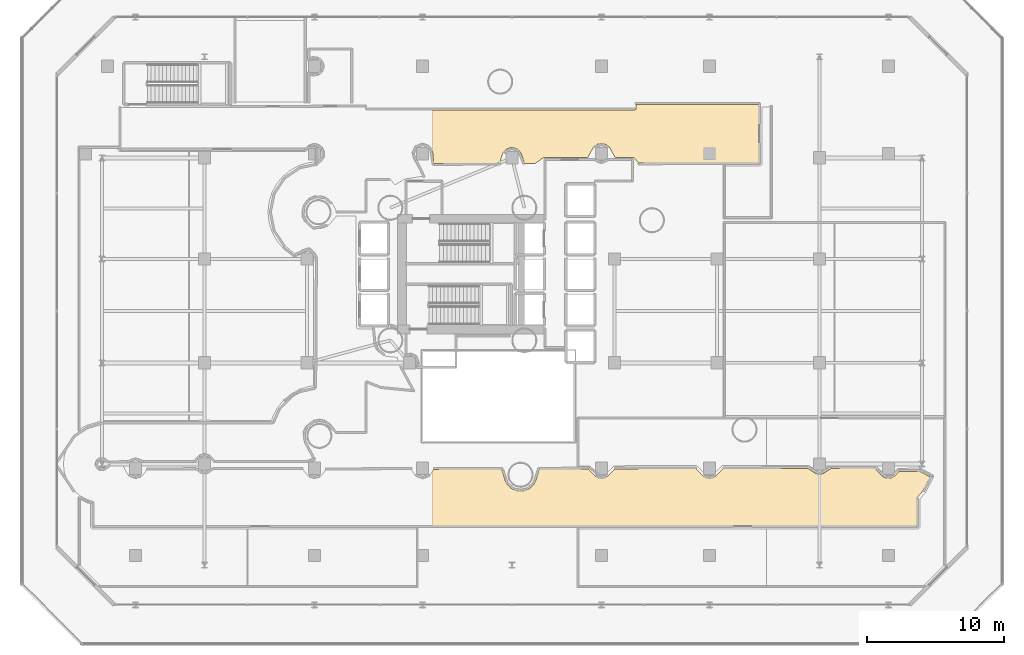
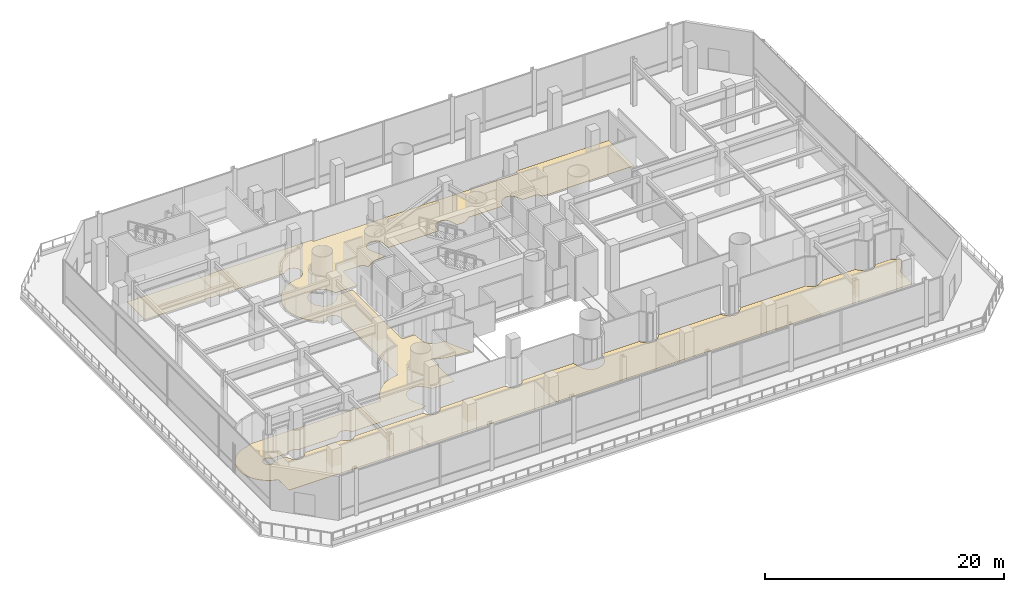
# One storey, part 36 of 39: 1 covering.
"""IFC4 building model written with IfcOpenShell, lengths in metres."""

from ifc_helpers import new_model, si_unit, direction, frame, origin, place, context, subcontext, project, spatial, polyline, outline, extrude, material, layer, layer_set, type_object, element, save


model = new_model("IFC4")

# Units and contexts
model_context = context("Model", 3, precision=1e-05, world=origin(), true_north=direction((0.0, 1.0)))
body_context = subcontext(model_context, "Body", "Model", "MODEL_VIEW")
ifc_project = project(units=[si_unit("LENGTHUNIT", "METRE"), si_unit("AREAUNIT", "SQUARE_METRE"), si_unit("VOLUMEUNIT", "CUBIC_METRE"), si_unit("PLANEANGLEUNIT", "RADIAN"), si_unit("MASSUNIT", "GRAM", prefix="KILO")], contexts=[model_context])

# Site, building, storey
site_placement = place(None, origin())
site = spatial("IfcSite", under=ifc_project, at=site_placement, CompositionType="ELEMENT")
building_placement = place(site_placement, origin())
building = spatial("IfcBuilding", under=site, at=building_placement, Name="Qianvela Tower", CompositionType="ELEMENT")
storey_placement = place(building_placement, frame((0.0, 0.0, 15.800048828125)))
storey = spatial("IfcBuildingStorey", under=building, at=storey_placement, Name="L03", CompositionType="ELEMENT", Elevation=15.800048828125)

# Covering
ifc_material = material(Name="Honed Stone Terrazzo Flooring", Category="masonry")
ifc_layer = layer(ifc_material, 0.030029296875)
ifc_layer_set = layer_set([ifc_layer], Name="Honed Stone Terrazzo Flooring")
covering_type = type_object("IfcCoveringType", Name="COV-FLOOR-TERRAZZO-30", PredefinedType="FLOORING", material=ifc_layer_set)
covering_placement = place(storey_placement, origin())
element("IfcCovering", 1, at=covering_placement, inside=storey, type_object=covering_type, Name="L03 Finish Flooring L03 Concourse Gallery Corridor", PredefinedType="FLOORING", context=body_context, shape_type="SweptSolid", body=[
    extrude(outline(polyline([(7.701416015625, 15.2333984375), (7.6953125, 15.237548828125), (7.68896484375, 15.2412109375), (7.682373046875, 15.243896484375), (7.67529296875, 15.246337890625), (7.668212890625, 15.248046875), (7.660888671875, 15.249267578125), (7.4296875, 15.27197265625), (7.422119140625, 15.272216796875), (7.4140625, 15.27197265625), (7.406494140625, 15.270751953125), (7.398681640625, 15.268798828125), (7.391357421875, 15.26611328125), (7.247314453125, 15.20654296875), (7.239990234375, 15.203125), (7.2333984375, 15.19921875), (7.22705078125, 15.1943359375), (7.22119140625, 15.189208984375), (7.11083984375, 15.078857421875), (7.105712890625, 15.072998046875), (7.100830078125, 15.066650390625), (7.096923828125, 15.059814453125), (7.093505859375, 15.052734375), (7.03369140625, 14.90869140625), (7.031005859375, 14.9013671875), (7.029296875, 14.8935546875), (7.028076171875, 14.885986328125), (7.027587890625, 14.8779296875), (7.027587890625, 14.721923828125), (7.028076171875, 14.714111328125), (7.029296875, 14.706298828125), (7.031005859375, 14.69873046875), (7.03369140625, 14.69140625), (7.093505859375, 14.547119140625), (7.096923828125, 14.5400390625), (7.100830078125, 14.533203125), (7.105712890625, 14.527099609375), (7.11083984375, 14.521240234375), (7.22119140625, 14.410888671875), (7.22705078125, 14.405517578125), (7.2333984375, 14.40087890625), (7.239990234375, 14.39697265625), (7.247314453125, 14.3935546875), (7.391357421875, 14.333740234375), (7.398681640625, 14.3310546875), (7.406494140625, 14.3291015625), (7.4140625, 14.328125), (7.422119140625, 14.32763671875), (7.4296875, 14.328125), (7.660888671875, 14.350830078125), (7.668212890625, 14.351806640625), (7.675537109375, 14.353759765625), (7.6826171875, 14.356201171875), (7.689453125, 14.359130859375), (7.69580078125, 14.36279296875), (7.701904296875, 14.3671875), (8.094482421875, 14.67041015625), (9.038818359375, 14.6728515625), (9.344482421875, 14.101318359375), (9.348388671875, 14.094482421875), (9.35302734375, 14.088134765625), (9.433837890625, 13.989501953125), (9.439208984375, 13.98388671875), (9.445068359375, 13.978515625), (9.451416015625, 13.973876953125), (9.662109375, 13.8330078125), (9.6689453125, 13.828857421875), (9.676025390625, 13.82568359375), (9.683349609375, 13.822998046875), (9.69091796875, 13.821044921875), (9.939697265625, 13.771484375), (9.947509765625, 13.7705078125), (9.955322265625, 13.77001953125), (9.963134765625, 13.7705078125), (9.970947265625, 13.771484375), (10.2197265625, 13.821044921875), (10.227294921875, 13.822998046875), (10.23486328125, 13.82568359375), (10.241943359375, 13.828857421875), (10.354248046875, 13.888916015625), (10.361083984375, 13.89306640625), (10.3671875, 13.897705078125), (10.4658203125, 13.978515625), (10.4716796875, 13.98388671875), (10.476806640625, 13.989501953125), (10.81005859375, 14.3955078125), (14.338623046875, 14.404296875), (14.703857421875, 14.135009765625), (14.711181640625, 14.13037109375), (14.718994140625, 14.126220703125), (14.72705078125, 14.123291015625), (14.735595703125, 14.12109375), (14.984375, 14.071533203125), (14.9921875, 14.0703125), (15.0, 14.070068359375), (15.0078125, 14.0703125), (15.015625, 14.071533203125), (15.264404296875, 14.12109375), (15.27294921875, 14.123291015625), (15.281005859375, 14.126220703125), (15.288818359375, 14.13037109375), (15.29638671875, 14.135009765625), (15.665283203125, 14.40771484375), (22.166748046875, 14.423828125), (22.523193359375, 13.989501953125), (22.5283203125, 13.98388671875), (22.5341796875, 13.978515625), (22.6328125, 13.897705078125), (22.638916015625, 13.89306640625), (22.645751953125, 13.888916015625), (22.65283203125, 13.885498046875), (22.88720703125, 13.78857421875), (22.89453125, 13.785888671875), (22.902099609375, 13.783935546875), (22.909912109375, 13.782958984375), (23.036865234375, 13.7705078125), (23.044677734375, 13.77001953125), (23.052490234375, 13.7705078125), (23.17919921875, 13.782958984375), (23.18701171875, 13.783935546875), (23.194580078125, 13.785888671875), (23.201904296875, 13.78857421875), (23.436279296875, 13.885498046875), (23.443359375, 13.888916015625), (23.4501953125, 13.89306640625), (23.45654296875, 13.897705078125), (23.554931640625, 13.978515625), (23.560791015625, 13.98388671875), (23.566162109375, 13.989501953125), (23.899169921875, 14.3955078125), (30.12841796875, 14.4111328125), (30.4150390625, 13.981689453125), (30.419921875, 13.9755859375), (30.425048828125, 13.9697265625), (30.430908203125, 13.96435546875), (30.437255859375, 13.959716796875), (30.654541015625, 13.814453125), (30.661376953125, 13.810302734375), (30.66845703125, 13.80712890625), (30.67578125, 13.804443359375), (30.683349609375, 13.802490234375), (30.939697265625, 13.75146484375), (30.947509765625, 13.75048828125), (30.955322265625, 13.75), (30.963134765625, 13.75048828125), (30.970947265625, 13.75146484375), (31.227294921875, 13.802490234375), (31.235107421875, 13.804443359375), (31.242431640625, 13.80712890625), (31.24951171875, 13.810302734375), (31.256103515625, 13.814453125), (31.4736328125, 13.959716796875), (31.47998046875, 13.96435546875), (31.485595703125, 13.9697265625), (31.490966796875, 13.9755859375), (31.49560546875, 13.981689453125), (31.785400390625, 14.415283203125), (36.746826171875, 14.427734375), (37.0087890625, 13.564208984375), (37.01123046875, 13.556884765625), (37.0146484375, 13.5498046875), (37.1181640625, 13.35595703125), (37.122314453125, 13.349365234375), (37.126953125, 13.343017578125), (37.26611328125, 13.17333984375), (37.271484375, 13.16748046875), (37.27734375, 13.162109375), (37.447021484375, 13.02294921875), (37.453369140625, 13.018310546875), (37.4599609375, 13.01416015625), (37.65380859375, 12.91064453125), (37.660888671875, 12.9072265625), (37.668212890625, 12.90478515625), (37.87841796875, 12.841064453125), (37.885986328125, 12.839111328125), (37.893798828125, 12.837890625), (38.1123046875, 12.81640625), (38.1201171875, 12.81591796875), (38.127685546875, 12.81640625), (38.34619140625, 12.837890625), (38.35400390625, 12.839111328125), (38.36181640625, 12.841064453125), (38.57177734375, 12.90478515625), (38.5791015625, 12.9072265625), (38.586181640625, 12.91064453125), (38.780029296875, 13.01416015625), (38.78662109375, 13.018310546875), (38.79296875, 13.02294921875), (38.962646484375, 13.162109375), (38.968505859375, 13.16748046875), (38.973876953125, 13.17333984375), (39.113037109375, 13.343017578125), (39.117919921875, 13.349365234375), (39.121826171875, 13.35595703125), (39.225341796875, 13.5498046875), (39.228759765625, 13.556884765625), (39.231201171875, 13.564208984375), (39.495361328125, 14.4345703125), (43.05859375, 14.443359375), (43.61572265625, 13.88623046875), (43.62158203125, 13.881103515625), (43.6279296875, 13.87646484375), (43.634765625, 13.872314453125), (43.641845703125, 13.868896484375), (43.88330078125, 13.76904296875), (43.890625, 13.766357421875), (43.898193359375, 13.764404296875), (43.906005859375, 13.76318359375), (44.036865234375, 13.75048828125), (44.044677734375, 13.75), (44.052490234375, 13.75048828125), (44.18310546875, 13.76318359375), (44.19091796875, 13.764404296875), (44.198486328125, 13.766357421875), (44.205810546875, 13.76904296875), (44.447509765625, 13.868896484375), (44.45458984375, 13.872314453125), (44.461181640625, 13.87646484375), (44.467529296875, 13.881103515625), (44.473388671875, 13.88623046875), (45.035400390625, 14.448486328125), (50.94970703125, 14.463134765625), (51.526611328125, 13.88623046875), (51.532470703125, 13.881103515625), (51.538818359375, 13.87646484375), (51.54541015625, 13.872314453125), (51.552490234375, 13.868896484375), (51.794189453125, 13.76904296875), (51.801513671875, 13.766357421875), (51.80908203125, 13.764404296875), (51.81689453125, 13.76318359375), (51.947509765625, 13.75048828125), (51.955322265625, 13.75), (51.963134765625, 13.75048828125), (52.093994140625, 13.76318359375), (52.101806640625, 13.764404296875), (52.109375, 13.766357421875), (52.11669921875, 13.76904296875), (52.358154296875, 13.868896484375), (52.365234375, 13.872314453125), (52.3720703125, 13.87646484375), (52.37841796875, 13.881103515625), (52.38427734375, 13.88623046875), (52.966064453125, 14.46826171875), (59.146484375, 14.483642578125), (59.69921875, 14.114501953125), (59.705810546875, 14.1103515625), (59.712890625, 14.107177734375), (59.720458984375, 14.1044921875), (59.72802734375, 14.1025390625), (59.984375, 14.051513671875), (59.9921875, 14.05029296875), (60.0, 14.050048828125), (60.0078125, 14.05029296875), (60.015625, 14.051513671875), (60.27197265625, 14.1025390625), (60.279541015625, 14.1044921875), (60.287109375, 14.107177734375), (60.294189453125, 14.1103515625), (60.30078125, 14.114501953125), (60.85986328125, 14.48779296875), (64.0107421875, 14.495849609375), (64.615478515625, 13.88671875), (64.621337890625, 13.881103515625), (64.627685546875, 13.87646484375), (64.634521484375, 13.872314453125), (64.641845703125, 13.868896484375), (64.88330078125, 13.76904296875), (64.890625, 13.766357421875), (64.898193359375, 13.764404296875), (64.906005859375, 13.76318359375), (64.913818359375, 13.762939453125), (65.17529296875, 13.762939453125), (65.18310546875, 13.76318359375), (65.19091796875, 13.764404296875), (65.198486328125, 13.766357421875), (65.205810546875, 13.76904296875), (65.447509765625, 13.868896484375), (65.45458984375, 13.872314453125), (65.461181640625, 13.87646484375), (65.467529296875, 13.881103515625), (65.473388671875, 13.88623046875), (65.853515625, 14.2666015625), (67.3291015625, 14.270263671875), (68.10693359375, 13.8544921875), (67.5556640625, 12.822998046875), (67.138916015625, 12.32958984375), (67.134033203125, 12.3232421875), (67.1298828125, 12.31640625), (67.126220703125, 12.30908203125), (67.12353515625, 12.301513671875), (67.12158203125, 12.293701171875), (67.120361328125, 12.285888671875), (67.1201171875, 12.27783203125), (67.1201171875, 10.280029296875), (6.8798828125, 10.280029296875), (6.8798828125, 11.996337890625), (6.879638671875, 12.00439453125), (6.87841796875, 12.01220703125), (6.876708984375, 12.019775390625), (6.873779296875, 12.027099609375), (6.87060546875, 12.0341796875), (6.866455078125, 12.041015625), (6.86181640625, 12.047119140625), (6.856689453125, 12.052978515625), (6.850830078125, 12.058349609375), (6.844482421875, 12.06298828125), (6.837646484375, 12.06689453125), (6.83056640625, 12.0703125), (6.8232421875, 12.072998046875), (6.4208984375, 12.195068359375), (5.93359375, 12.45556640625), (5.506103515625, 12.80615234375), (5.155517578125, 13.2333984375), (4.89501953125, 13.720947265625), (4.734619140625, 14.25), (4.680419921875, 14.800048828125), (4.734619140625, 15.35009765625), (4.89501953125, 15.87890625), (5.155517578125, 16.366455078125), (5.506103515625, 16.793701171875), (5.93359375, 17.144287109375), (6.4208984375, 17.405029296875), (7.624267578125, 17.77001953125), (14.4921875, 17.77001953125), (14.500244140625, 17.7705078125), (15.0, 17.819580078125), (15.499755859375, 17.7705078125), (15.5078125, 17.77001953125), (20.012451171875, 17.77001953125), (20.020263671875, 17.7705078125), (20.028076171875, 17.771484375), (20.03564453125, 17.7734375), (20.043212890625, 17.776123046875), (20.050048828125, 17.779296875), (20.056884765625, 17.783447265625), (20.063232421875, 17.7880859375), (20.069091796875, 17.79345703125), (20.07421875, 17.79931640625), (20.0791015625, 17.8056640625), (20.0830078125, 17.812255859375), (20.086181640625, 17.8193359375), (20.089111328125, 17.826904296875), (20.198486328125, 18.187744140625), (20.51904296875, 18.78759765625), (20.95068359375, 19.3134765625), (21.476318359375, 19.744873046875), (22.076171875, 20.0654296875), (22.72705078125, 20.262939453125), (23.10791015625, 20.30029296875), (23.115478515625, 20.301513671875), (23.123291015625, 20.303466796875), (23.130615234375, 20.30615234375), (23.1376953125, 20.3095703125), (23.144287109375, 20.3134765625), (23.15087890625, 20.318115234375), (23.156494140625, 20.323486328125), (23.161865234375, 20.329345703125), (23.16650390625, 20.335693359375), (23.170654296875, 20.34228515625), (23.173828125, 20.349365234375), (23.176513671875, 20.356689453125), (23.178466796875, 20.364501953125), (23.1796875, 20.372314453125), (23.179931640625, 20.380126953125), (23.179931640625, 21.872314453125), (23.248046875, 22.182861328125), (23.24951171875, 22.19140625), (23.25, 22.199951171875), (23.24951171875, 22.20849609375), (23.248046875, 22.217041015625), (23.179931640625, 22.527587890625), (23.179931640625, 29.468994140625), (23.233642578125, 29.64599609375), (23.235595703125, 29.65380859375), (23.23681640625, 29.661376953125), (23.237060546875, 29.669189453125), (23.237060546875, 29.9306640625), (23.23681640625, 29.938720703125), (23.235595703125, 29.9462890625), (23.233642578125, 29.953857421875), (23.23095703125, 29.961181640625), (23.131103515625, 30.202880859375), (23.127685546875, 30.2099609375), (23.12353515625, 30.216796875), (23.118896484375, 30.222900390625), (23.03564453125, 30.324462890625), (23.0302734375, 30.330322265625), (23.0244140625, 30.335693359375), (22.6982421875, 30.603515625), (22.69189453125, 30.60791015625), (22.685302734375, 30.612060546875), (22.677978515625, 30.615478515625), (22.670654296875, 30.6181640625), (22.6630859375, 30.6201171875), (22.6552734375, 30.62109375), (22.6474609375, 30.62158203125), (22.6396484375, 30.62109375), (22.6318359375, 30.6201171875), (22.624267578125, 30.6181640625), (22.220458984375, 30.49560546875), (22.212890625, 30.492919921875), (22.205810546875, 30.489501953125), (21.6162109375, 30.17431640625), (20.884521484375, 30.774658203125), (20.453125, 31.30029296875), (20.132568359375, 31.900146484375), (19.93505859375, 32.551025390625), (19.868408203125, 33.22802734375), (19.93505859375, 33.90478515625), (20.132568359375, 34.555908203125), (20.453125, 35.155517578125), (20.884521484375, 35.681396484375), (21.410400390625, 36.11279296875), (22.01025390625, 36.43359375), (22.6611328125, 36.630859375), (23.20703125, 36.684814453125), (23.21484375, 36.685791015625), (23.222412109375, 36.687744140625), (23.229736328125, 36.6904296875), (23.23681640625, 36.69384765625), (23.24365234375, 36.69775390625), (23.25, 36.702392578125), (23.569091796875, 36.96435546875), (23.574951171875, 36.9697265625), (23.580078125, 36.9755859375), (23.5849609375, 36.981689453125), (23.72998046875, 37.19921875), (23.734130859375, 37.205810546875), (23.737548828125, 37.212890625), (23.740234375, 37.220458984375), (23.7421875, 37.22802734375), (23.793212890625, 37.484375), (23.794189453125, 37.4921875), (23.794677734375, 37.5), (23.794189453125, 37.5078125), (23.78125, 37.638671875), (23.7802734375, 37.646240234375), (23.7783203125, 37.65380859375), (23.775634765625, 37.661376953125), (23.675537109375, 37.90283203125), (23.672119140625, 37.909912109375), (23.668212890625, 37.916748046875), (23.66357421875, 37.923095703125), (23.658203125, 37.9287109375), (23.473388671875, 38.11376953125), (23.467529296875, 38.118896484375), (23.461181640625, 38.12353515625), (23.45458984375, 38.127685546875), (23.447509765625, 38.131103515625), (23.205810546875, 38.23095703125), (23.198486328125, 38.233642578125), (23.19091796875, 38.235595703125), (23.18310546875, 38.23681640625), (23.052490234375, 38.24951171875), (23.044677734375, 38.25), (23.036865234375, 38.24951171875), (22.906005859375, 38.23681640625), (22.898193359375, 38.235595703125), (22.890625, 38.233642578125), (22.88330078125, 38.23095703125), (22.641845703125, 38.131103515625), (22.634765625, 38.127685546875), (22.6279296875, 38.12353515625), (22.62158203125, 38.118896484375), (22.33056640625, 37.8798828125), (15.32763671875, 37.8798828125), (15.01708984375, 37.947998046875), (15.008544921875, 37.949462890625), (15.0, 37.949951171875), (14.991455078125, 37.949462890625), (14.98291015625, 37.947998046875), (14.67236328125, 37.8798828125), (8.8798828125, 37.8798828125), (8.8798828125, 40.8798828125), (16.89990234375, 40.8798828125), (16.908203125, 40.88037109375), (16.916015625, 40.881591796875), (16.923828125, 40.8837890625), (17.103759765625, 40.93994140625), (26.77001953125, 40.93994140625), (26.77001953125, 40.800048828125), (26.7705078125, 40.792236328125), (26.771484375, 40.784423828125), (26.7734375, 40.77685546875), (26.776123046875, 40.769287109375), (26.779296875, 40.76220703125), (26.783447265625, 40.755615234375), (26.7880859375, 40.749267578125), (26.79345703125, 40.743408203125), (26.79931640625, 40.73828125), (26.8056640625, 40.7333984375), (26.812255859375, 40.7294921875), (26.8193359375, 40.72607421875), (26.826904296875, 40.723388671875), (26.83447265625, 40.721435546875), (26.84228515625, 40.720458984375), (26.85009765625, 40.719970703125), (46.5, 40.719970703125), (46.5078125, 40.720458984375), (46.515625, 40.721435546875), (46.523193359375, 40.723388671875), (46.530517578125, 40.72607421875), (46.53759765625, 40.7294921875), (46.54443359375, 40.7333984375), (46.55078125, 40.73828125), (46.556640625, 40.743408203125), (46.561767578125, 40.749267578125), (46.56640625, 40.755615234375), (46.570556640625, 40.76220703125), (46.573974609375, 40.769287109375), (46.57666015625, 40.77685546875), (46.57861328125, 40.784423828125), (46.57958984375, 40.792236328125), (46.580078125, 40.800048828125), (46.580078125, 41.1201171875), (55.570068359375, 41.1201171875), (55.570068359375, 36.838134765625), (46.76318359375, 36.816162109375), (46.439697265625, 37.210205078125), (46.4345703125, 37.2158203125), (46.4287109375, 37.22119140625), (46.422607421875, 37.225830078125), (46.415771484375, 37.22998046875), (46.40869140625, 37.233154296875), (46.4013671875, 37.23583984375), (46.393798828125, 37.23779296875), (46.385986328125, 37.239013671875), (46.378173828125, 37.2392578125), (45.029296875, 37.241943359375), (44.672119140625, 37.909912109375), (44.668212890625, 37.916748046875), (44.66357421875, 37.923095703125), (44.580078125, 38.0244140625), (44.574951171875, 38.0302734375), (44.569091796875, 38.03564453125), (44.562744140625, 38.040283203125), (44.345458984375, 38.185546875), (44.338623046875, 38.189697265625), (44.33154296875, 38.19287109375), (44.32421875, 38.195556640625), (44.316650390625, 38.197509765625), (44.060302734375, 38.24853515625), (44.052490234375, 38.24951171875), (44.044677734375, 38.25), (44.036865234375, 38.24951171875), (44.029052734375, 38.24853515625), (43.772705078125, 38.197509765625), (43.764892578125, 38.195556640625), (43.757568359375, 38.19287109375), (43.75048828125, 38.189697265625), (43.743896484375, 38.185546875), (43.5263671875, 38.040283203125), (43.52001953125, 38.03564453125), (43.514404296875, 38.0302734375), (43.509033203125, 38.0244140625), (43.42578125, 37.923095703125), (43.4208984375, 37.916748046875), (43.4169921875, 37.909912109375), (43.059814453125, 37.241943359375), (39.873779296875, 37.24169921875), (39.865966796875, 37.2412109375), (39.858154296875, 37.239990234375), (39.850341796875, 37.23828125), (39.843017578125, 37.235595703125), (39.835693359375, 37.23193359375), (39.8291015625, 37.227783203125), (39.193603515625, 36.797119140625), (38.403076171875, 36.79541015625), (38.195556640625, 37.4794921875), (38.19287109375, 37.487060546875), (38.189697265625, 37.494140625), (38.185546875, 37.500732421875), (38.040283203125, 37.71826171875), (38.03564453125, 37.724609375), (38.0302734375, 37.730224609375), (38.0244140625, 37.735595703125), (37.923095703125, 37.81884765625), (37.916748046875, 37.823486328125), (37.909912109375, 37.82763671875), (37.90283203125, 37.8310546875), (37.661376953125, 37.930908203125), (37.65380859375, 37.93359375), (37.646240234375, 37.935546875), (37.638671875, 37.936767578125), (37.5078125, 37.94970703125), (37.5, 37.949951171875), (37.4921875, 37.94970703125), (37.361328125, 37.936767578125), (37.353759765625, 37.935546875), (37.34619140625, 37.93359375), (37.338623046875, 37.930908203125), (37.09716796875, 37.8310546875), (37.090087890625, 37.82763671875), (37.083251953125, 37.823486328125), (37.076904296875, 37.81884765625), (37.0712890625, 37.813720703125), (36.88623046875, 37.62890625), (36.881103515625, 37.623046875), (36.87646484375, 37.61669921875), (36.872314453125, 37.60986328125), (36.810302734375, 37.494140625), (36.80712890625, 37.487060546875), (36.804443359375, 37.4794921875), (36.595458984375, 36.790771484375), (31.77685546875, 36.77880859375), (31.692138671875, 37.638671875), (31.69091796875, 37.646240234375), (31.689208984375, 37.65380859375), (31.686279296875, 37.661376953125), (31.58642578125, 37.90283203125), (31.5830078125, 37.909912109375), (31.5791015625, 37.916748046875), (31.57421875, 37.923095703125), (31.569091796875, 37.9287109375), (31.38427734375, 38.11376953125), (31.37841796875, 38.118896484375), (31.3720703125, 38.12353515625), (31.365234375, 38.127685546875), (31.358154296875, 38.131103515625), (31.11669921875, 38.23095703125), (31.109375, 38.233642578125), (31.101806640625, 38.235595703125), (31.093994140625, 38.23681640625), (30.963134765625, 38.24951171875), (30.955322265625, 38.25), (30.947509765625, 38.24951171875), (30.939697265625, 38.24853515625), (30.683349609375, 38.197509765625), (30.67578125, 38.195556640625), (30.66845703125, 38.19287109375), (30.661376953125, 38.189697265625), (30.654541015625, 38.185546875), (30.437255859375, 38.040283203125), (30.430908203125, 38.03564453125), (30.425048828125, 38.0302734375), (30.419921875, 38.0244140625), (30.4150390625, 38.018310546875), (30.27001953125, 37.80078125), (30.265869140625, 37.794189453125), (30.262451171875, 37.787109375), (30.259765625, 37.779541015625), (30.2578125, 37.77197265625), (30.206787109375, 37.515625), (30.205810546875, 37.5078125), (30.205322265625, 37.5), (30.205810546875, 37.4921875), (30.206787109375, 37.484375), (30.2578125, 37.22802734375), (30.259765625, 37.220458984375), (30.262451171875, 37.212890625), (30.265869140625, 37.205810546875), (30.988037109375, 35.854736328125), (29.670166015625, 35.658447265625), (29.66259765625, 35.656982421875), (29.655029296875, 35.65478515625), (29.64794921875, 35.651611328125), (29.64111328125, 35.64794921875), (28.93408203125, 35.226318359375), (28.60205078125, 35.630859375), (28.5966796875, 35.63671875), (28.5908203125, 35.641845703125), (28.584716796875, 35.646484375), (28.577880859375, 35.650634765625), (28.57080078125, 35.65380859375), (28.563232421875, 35.656494140625), (28.5556640625, 35.658447265625), (28.548095703125, 35.65966796875), (28.5400390625, 35.659912109375), (26.85009765625, 35.659912109375), (26.84228515625, 35.65966796875), (26.83447265625, 35.658447265625), (26.826904296875, 35.656494140625), (26.8193359375, 35.65380859375), (26.812255859375, 35.650634765625), (26.8056640625, 35.646484375), (26.79931640625, 35.641845703125), (26.79345703125, 35.63671875), (26.7880859375, 35.630859375), (26.783447265625, 35.62451171875), (26.779296875, 35.61767578125), (26.776123046875, 35.610595703125), (26.7734375, 35.603271484375), (26.771484375, 35.595703125), (26.7705078125, 35.587890625), (26.77001953125, 35.580078125), (26.77001953125, 33.29736328125), (24.658203125, 33.2919921875), (24.33984375, 33.887939453125), (24.335693359375, 33.894775390625), (24.3310546875, 33.90087890625), (24.19189453125, 34.07080078125), (24.1865234375, 34.076416015625), (24.1806640625, 34.081787109375), (24.010986328125, 34.22119140625), (24.004638671875, 34.225830078125), (23.998046875, 34.229736328125), (23.80419921875, 34.333251953125), (23.797119140625, 34.336669921875), (23.789794921875, 34.33935546875), (23.57958984375, 34.403076171875), (23.572021484375, 34.40478515625), (23.564208984375, 34.406005859375), (23.345703125, 34.427490234375), (23.337890625, 34.427978515625), (23.330078125, 34.427490234375), (23.11181640625, 34.406005859375), (23.10400390625, 34.40478515625), (23.09619140625, 34.403076171875), (22.88623046875, 34.33935546875), (22.87890625, 34.336669921875), (22.87158203125, 34.333251953125), (22.677978515625, 34.229736328125), (22.67138671875, 34.225830078125), (22.6650390625, 34.22119140625), (22.495361328125, 34.081787109375), (22.489501953125, 34.076416015625), (22.484130859375, 34.07080078125), (22.344970703125, 33.90087890625), (22.340087890625, 33.894775390625), (22.336181640625, 33.887939453125), (22.232666015625, 33.6943359375), (22.229248046875, 33.687255859375), (22.226806640625, 33.6796875), (22.1630859375, 33.4697265625), (22.1611328125, 33.462158203125), (22.159912109375, 33.454345703125), (22.138427734375, 33.23583984375), (22.137939453125, 33.22802734375), (22.138427734375, 33.22021484375), (22.159912109375, 33.001708984375), (22.1611328125, 32.993896484375), (22.1630859375, 32.986328125), (22.226806640625, 32.776123046875), (22.229248046875, 32.768798828125), (22.232666015625, 32.76171875), (22.336181640625, 32.568115234375), (22.340087890625, 32.561279296875), (22.344970703125, 32.554931640625), (22.484130859375, 32.38525390625), (22.489501953125, 32.37939453125), (22.495361328125, 32.374267578125), (22.93701171875, 32.01171875), (22.943359375, 32.007080078125), (22.9501953125, 32.0029296875), (22.957275390625, 31.99951171875), (22.964599609375, 31.9970703125), (22.97216796875, 31.9951171875), (22.97998046875, 31.993896484375), (22.98779296875, 31.993408203125), (22.99560546875, 31.993896484375), (23.564208984375, 32.0498046875), (23.572021484375, 32.051025390625), (23.57958984375, 32.052978515625), (23.789794921875, 32.11669921875), (23.797119140625, 32.119384765625), (23.80419921875, 32.122802734375), (23.998046875, 32.226318359375), (24.004638671875, 32.230224609375), (24.010986328125, 32.23486328125), (24.1806640625, 32.374267578125), (24.1865234375, 32.37939453125), (24.19189453125, 32.38525390625), (24.656982421875, 32.951904296875), (26.099609375, 32.95556640625), (26.10595703125, 24.859375), (26.1064453125, 24.8515625), (26.107666015625, 24.84375), (26.109619140625, 24.836181640625), (26.112060546875, 24.82861328125), (26.115478515625, 24.821533203125), (26.119384765625, 24.81494140625), (26.164794921875, 24.747314453125), (26.169189453125, 24.740966796875), (26.174560546875, 24.735107421875), (26.180419921875, 24.72998046875), (26.186767578125, 24.725341796875), (26.193603515625, 24.72119140625), (26.20068359375, 24.718017578125), (26.275634765625, 24.686767578125), (26.282958984375, 24.68408203125), (26.29052734375, 24.68212890625), (26.29833984375, 24.68115234375), (26.30615234375, 24.6806640625), (27.31787109375, 24.679931640625), (27.421875, 23.623779296875), (27.423095703125, 23.615966796875), (27.425048828125, 23.6083984375), (27.48876953125, 23.398193359375), (27.4912109375, 23.390869140625), (27.49462890625, 23.3837890625), (27.59814453125, 23.18994140625), (27.602294921875, 23.183349609375), (27.60693359375, 23.177001953125), (27.74609375, 23.00732421875), (27.75146484375, 23.00146484375), (27.75732421875, 22.99609375), (27.927001953125, 22.85693359375), (27.933349609375, 22.852294921875), (27.93994140625, 22.84814453125), (28.1337890625, 22.74462890625), (28.140869140625, 22.7412109375), (28.148193359375, 22.73876953125), (28.3583984375, 22.675048828125), (28.365966796875, 22.673095703125), (28.373779296875, 22.671875), (29.09814453125, 22.6005859375), (29.304443359375, 21.92041015625), (29.30712890625, 21.9130859375), (29.310302734375, 21.906005859375), (30.210693359375, 20.2216796875), (27.923095703125, 20.447021484375), (27.272216796875, 20.64453125), (26.8876953125, 20.85009765625), (26.880615234375, 20.853515625), (26.873291015625, 20.85595703125), (26.865478515625, 20.85791015625), (26.85791015625, 20.859130859375), (26.85009765625, 20.859619140625), (26.84228515625, 20.859130859375), (26.83447265625, 20.85791015625), (26.826904296875, 20.85595703125), (26.8193359375, 20.853515625), (26.812255859375, 20.85009765625), (26.8056640625, 20.845947265625), (26.79931640625, 20.84130859375), (26.79345703125, 20.8359375), (26.7880859375, 20.830078125), (26.783447265625, 20.823974609375), (26.779296875, 20.817138671875), (26.776123046875, 20.81005859375), (26.7734375, 20.802734375), (26.771484375, 20.795166015625), (26.7705078125, 20.787353515625), (26.77001953125, 20.779541015625), (26.77001953125, 17.145751953125), (24.693359375, 17.140380859375), (24.24365234375, 17.688720703125), (24.23828125, 17.6943359375), (24.232666015625, 17.69970703125), (24.06591796875, 17.83642578125), (24.0595703125, 17.841064453125), (24.052734375, 17.84521484375), (23.86279296875, 17.94677734375), (23.855712890625, 17.9501953125), (23.84814453125, 17.952880859375), (23.641845703125, 18.015380859375), (23.63427734375, 18.017333984375), (23.62646484375, 18.0185546875), (23.411865234375, 18.03955078125), (23.404052734375, 18.0400390625), (23.396240234375, 18.03955078125), (23.181640625, 18.0185546875), (23.173828125, 18.017333984375), (23.166259765625, 18.015380859375), (22.959716796875, 17.952880859375), (22.952392578125, 17.9501953125), (22.9453125, 17.94677734375), (22.755126953125, 17.84521484375), (22.748291015625, 17.841064453125), (22.7421875, 17.83642578125), (22.575439453125, 17.69970703125), (22.569580078125, 17.6943359375), (22.564208984375, 17.688720703125), (22.427490234375, 17.52197265625), (22.4228515625, 17.515625), (22.418701171875, 17.5087890625), (22.317138671875, 17.318603515625), (22.313720703125, 17.3115234375), (22.311279296875, 17.30419921875), (22.24853515625, 17.097900390625), (22.24658203125, 17.090087890625), (22.24560546875, 17.08251953125), (22.224365234375, 16.867919921875), (22.22412109375, 16.860107421875), (22.224365234375, 16.852294921875), (22.24560546875, 16.6376953125), (22.24658203125, 16.6298828125), (22.24853515625, 16.622314453125), (22.311279296875, 16.415771484375), (22.313720703125, 16.408447265625), (22.317138671875, 16.4013671875), (22.955078125, 15.20751953125), (22.782958984375, 15.179443359375), (22.774658203125, 15.177734375), (22.7666015625, 15.175048828125), (22.759033203125, 15.17138671875), (22.751708984375, 15.167236328125), (22.569580078125, 15.046630859375), (15.74951171875, 15.029541015625), (15.42041015625, 15.39404296875), (15.41552734375, 15.399169921875), (15.41015625, 15.40380859375), (15.404296875, 15.40771484375), (15.398193359375, 15.411376953125), (15.3916015625, 15.414306640625), (15.157470703125, 15.511474609375), (15.14990234375, 15.51416015625), (15.142333984375, 15.51611328125), (15.134765625, 15.51708984375), (15.0078125, 15.529541015625), (15.0, 15.530029296875), (14.9921875, 15.529541015625), (14.865234375, 15.51708984375), (14.857666015625, 15.51611328125), (14.85009765625, 15.51416015625), (14.842529296875, 15.511474609375), (14.6083984375, 15.414306640625), (14.601806640625, 15.411376953125), (14.595703125, 15.40771484375), (14.58984375, 15.40380859375), (14.58447265625, 15.399169921875), (14.57958984375, 15.39404296875), (14.247314453125, 15.02587890625), (10.531005859375, 15.0166015625), (10.241943359375, 15.171142578125), (10.23486328125, 15.17431640625), (10.227294921875, 15.177001953125), (10.2197265625, 15.178955078125), (9.970947265625, 15.228515625), (9.963134765625, 15.2294921875), (9.955322265625, 15.22998046875), (9.947509765625, 15.2294921875), (9.939697265625, 15.228515625), (9.69091796875, 15.178955078125), (9.683349609375, 15.177001953125), (9.676025390625, 15.17431640625), (9.6689453125, 15.171142578125), (9.37451171875, 15.013671875), (7.99560546875, 15.01025390625), (7.701416015625, 15.2333984375)])), origin(), (0.0, 0.0, 1.0), 0.030029296875),
])

save(model, "model.ifc")
